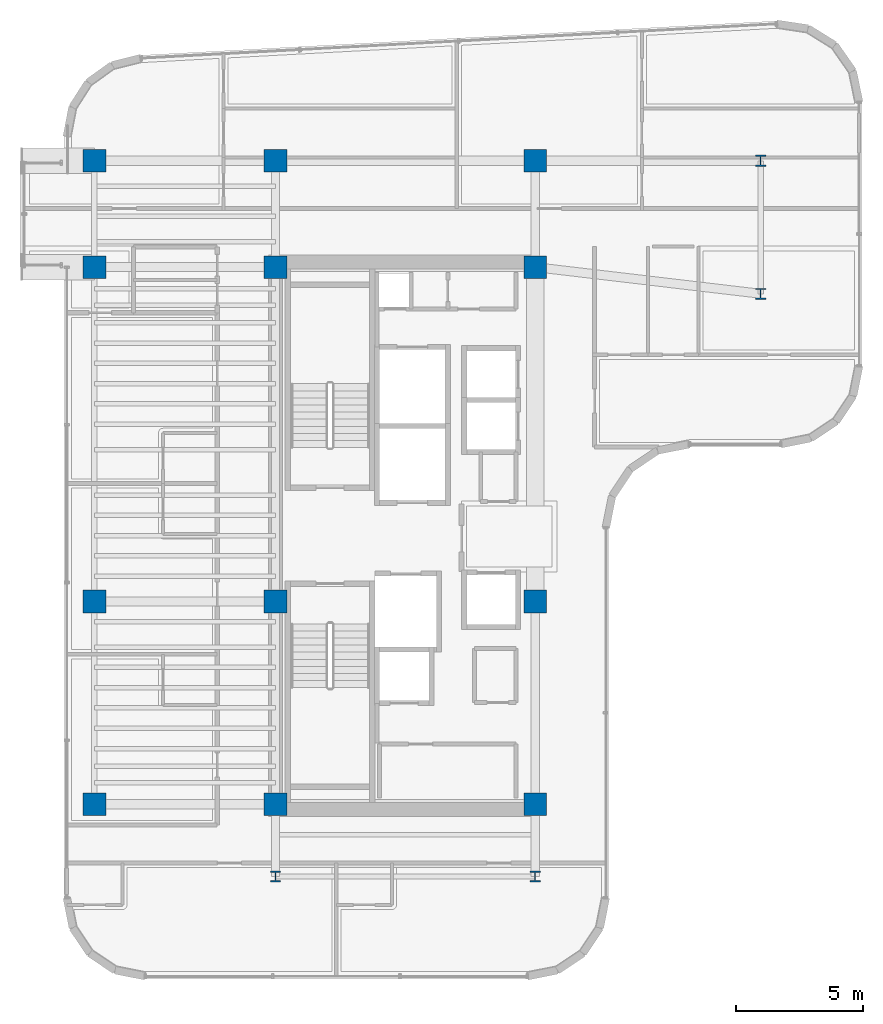
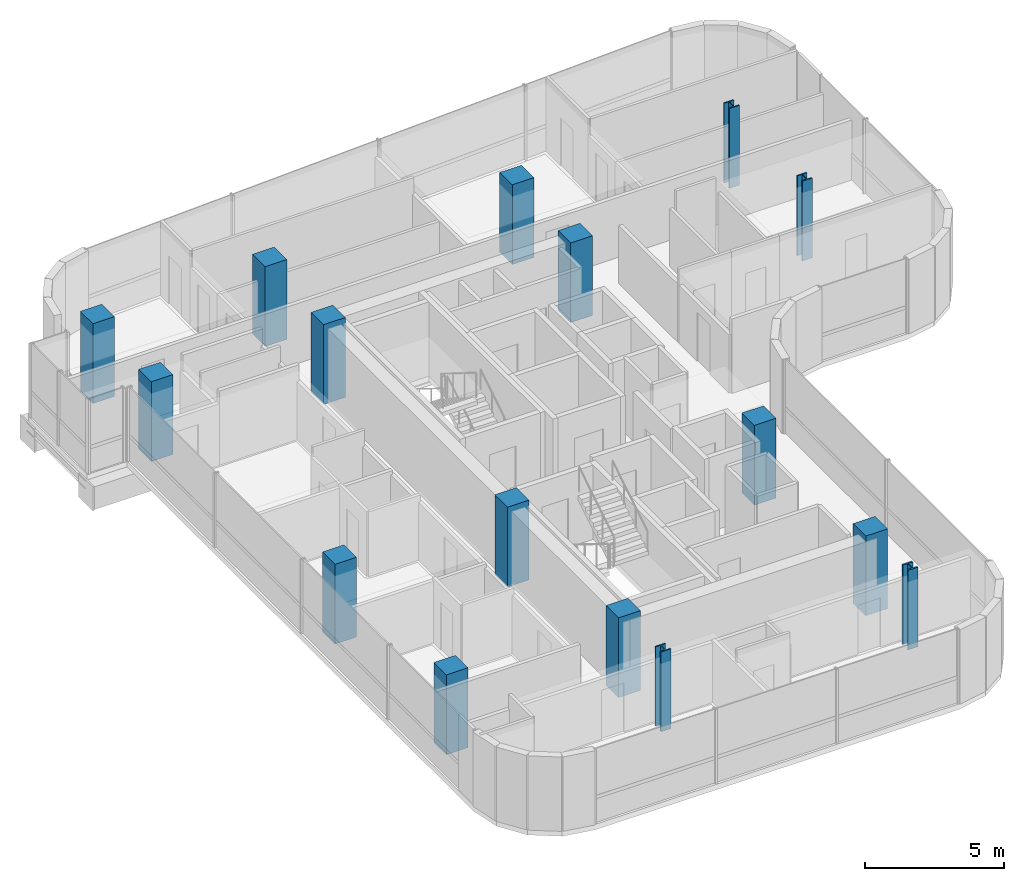
# One storey, part 1 of 23: 16 columns.
"""IFC4 building model written with IfcOpenShell, lengths in metres."""

from ifc_helpers import new_model, si_unit, direction, frame, origin, origin_2d, place, context, subcontext, project, spatial, rectangle, i_section, extrude, source, transform, mapped, material, material_profile, profile_set, type_object, element, save


model = new_model("IFC4")

# Units and contexts
model_context = context("Model", 3, precision=1e-05, world=origin(), true_north=direction((0.0, 1.0)))
body_context = subcontext(model_context, "Body", "Model", "MODEL_VIEW")
ifc_project = project(units=[si_unit("LENGTHUNIT", "METRE"), si_unit("AREAUNIT", "SQUARE_METRE"), si_unit("VOLUMEUNIT", "CUBIC_METRE"), si_unit("PLANEANGLEUNIT", "RADIAN"), si_unit("MASSUNIT", "GRAM", prefix="KILO")], contexts=[model_context])

# Site, building, storey
site_placement = place(None, origin())
site = spatial("IfcSite", under=ifc_project, at=site_placement, CompositionType="ELEMENT")
building_placement = place(site_placement, origin())
building = spatial("IfcBuilding", under=site, at=building_placement, Name="Valdorenza Pilgrim Sanctuary Tower", CompositionType="ELEMENT")
storey_placement = place(building_placement, frame((0.0, 0.0, 226.5)))
storey = spatial("IfcBuildingStorey", under=building, at=storey_placement, Name="L58", CompositionType="ELEMENT", Elevation=226.5)

# Columns
ifc_material_1 = material(Name="Concrete C50/60", Category="concrete")
ifc_material_profile_1 = material_profile(ifc_material_1, rectangle(XDim=0.89990234375, YDim=0.89990234375, at=origin_2d()), Name="RC 900x900")
ifc_profile_set_1 = profile_set([ifc_material_profile_1], Name="Concrete C50/60")
column_type_1 = type_object("IfcColumnType", Name="COL-Z4A-900", PredefinedType="COLUMN", material=ifc_profile_set_1)
shared_shape_1 = source(origin(), body_context, "Body", "SweptSolid", [
    extrude(rectangle(XDim=0.89990234375, YDim=0.89990234375, at=origin_2d()), origin(), (0.0, 0.0, 1.0), 3.5),
])
for number, where, z_axis, x_axis, name in (
    (1, (-29.800048828125, -10.60009765625, 0.0), (0.0, 0.0, 1.0), (1.0, 0.0, 0.0), "L58 Perimeter Column WA-W-S1"),
    (2, (-22.64990234375, -10.60009765625, 0.0), (0.0, 0.0, 1.0), (1.0, 0.0, 0.0), "L58 Column CA-W-S1"),
    (3, (-12.39990234375, -10.60009765625, 0.0), (0.0, 0.0, 1.0), (1.0, 0.0, 0.0), "L58 Column CA-E-S1"),
    (4, (-29.800048828125, -2.60009765625, 0.0), (0.0, 0.0, 1.0), (1.0, 0.0, 0.0), "L58 Perimeter Column WA-W-M0"),
    (5, (-22.64990234375, -2.60009765625, 0.0), (0.0, 0.0, 1.0), (1.0, 0.0, 0.0), "L58 Column CA-W-M0"),
    (6, (-12.39990234375, -2.60009765625, 0.0), (0.0, 0.0, 1.0), (1.0, 0.0, 0.0), "L58 Column CA-E-M0"),
    (7, (-29.800048828125, 10.60009765625, 0.0), (0.0, 0.0, 1.0), (1.0, 0.0, 0.0), "L58 Perimeter Column WA-W-N1"),
    (8, (-22.64990234375, 10.60009765625, 0.0), (0.0, 0.0, 1.0), (1.0, 0.0, 0.0), "L58 Column CA-W-N1"),
    (9, (-12.39990234375, 10.60009765625, 0.0), (0.0, 0.0, 1.0), (1.0, 0.0, 0.0), "L58 Column CA-E-N1"),
    (10, (-29.800048828125, 14.800048828125, 0.0), (0.0, 0.0, 1.0), (1.0, 0.0, 0.0), "L58 Perimeter Column WA-W-N2"),
    (11, (-22.64990234375, 14.800048828125, 0.0), (0.0, 0.0, 1.0), (1.0, 0.0, 0.0), "L58 Column CA-W-N2"),
    (12, (-12.39990234375, 14.800048828125, 0.0), (0.0, 0.0, 1.0), (1.0, 0.0, 0.0), "L58 Column CA-E-N2"),
):
    element("IfcColumn", number, at=place(storey_placement, frame(where, z_axis=z_axis, x_axis=x_axis)), inside=storey, type_object=column_type_1, Name=name, PredefinedType="COLUMN", context=body_context, shape_type="MappedRepresentation", body=[
        mapped(shared_shape_1, transform((0.0, 0.0, 0.0), x_axis=(1.0, 0.0, 0.0), y_axis=(0.0, 1.0, 0.0), z_axis=(0.0, 0.0, 1.0), scale=1.0)),
    ])
ifc_material_2 = material(Name="Steel ASTM A992 Grade 50", Category="steel")
ifc_material_profile_2 = material_profile(ifc_material_2, i_section(OverallWidth=0.412109375, OverallDepth=0.43505859375, WebThickness=0.035888671875, FlangeThickness=0.057373046875, at=origin_2d()), Name="W14X311")
ifc_profile_set_2 = profile_set([ifc_material_profile_2], Name="Steel ASTM A992 Grade 50")
column_type_2 = type_object("IfcColumnType", Name="COL-STL-W311", PredefinedType="COLUMN", material=ifc_profile_set_2)
shared_shape_2 = source(origin(), body_context, "Body", "SweptSolid", [
    extrude(i_section(OverallWidth=0.412109375, OverallDepth=0.43505859375, WebThickness=0.035888671875, FlangeThickness=0.057373046875, at=origin_2d()), origin(), (0.0, 0.0, 1.0), 3.5),
])
for number, where, z_axis, x_axis, name in (
    (13, (-22.64990234375, -13.449951171875, 0.0), (0.0, 0.0, 1.0), (1.0, 0.0, 0.0), "L58 Column WA-S-W"),
    (14, (-12.39990234375, -13.449951171875, 0.0), (0.0, 0.0, 1.0), (1.0, 0.0, 0.0), "L58 Column WA-S-E"),
    (15, (-3.5, 9.550048828125, 0.0), (0.0, 0.0, 1.0), (1.0, 0.0, 0.0), "L58 Column UWA-K1"),
    (16, (-3.5, 14.800048828125, 0.0), (0.0, 0.0, 1.0), (1.0, 0.0, 0.0), "L58 Column UWA-K2"),
):
    element("IfcColumn", number, at=place(storey_placement, frame(where, z_axis=z_axis, x_axis=x_axis)), inside=storey, type_object=column_type_2, Name=name, PredefinedType="COLUMN", context=body_context, shape_type="MappedRepresentation", body=[
        mapped(shared_shape_2, transform((0.0, 0.0, 0.0), x_axis=(1.0, 0.0, 0.0), y_axis=(0.0, 1.0, 0.0), z_axis=(0.0, 0.0, 1.0), scale=1.0)),
    ])

save(model, "model.ifc")
